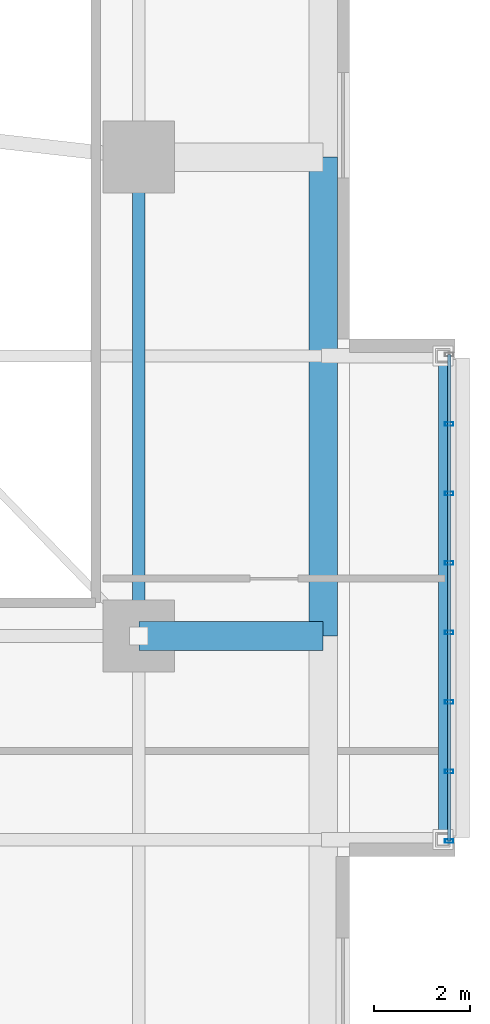
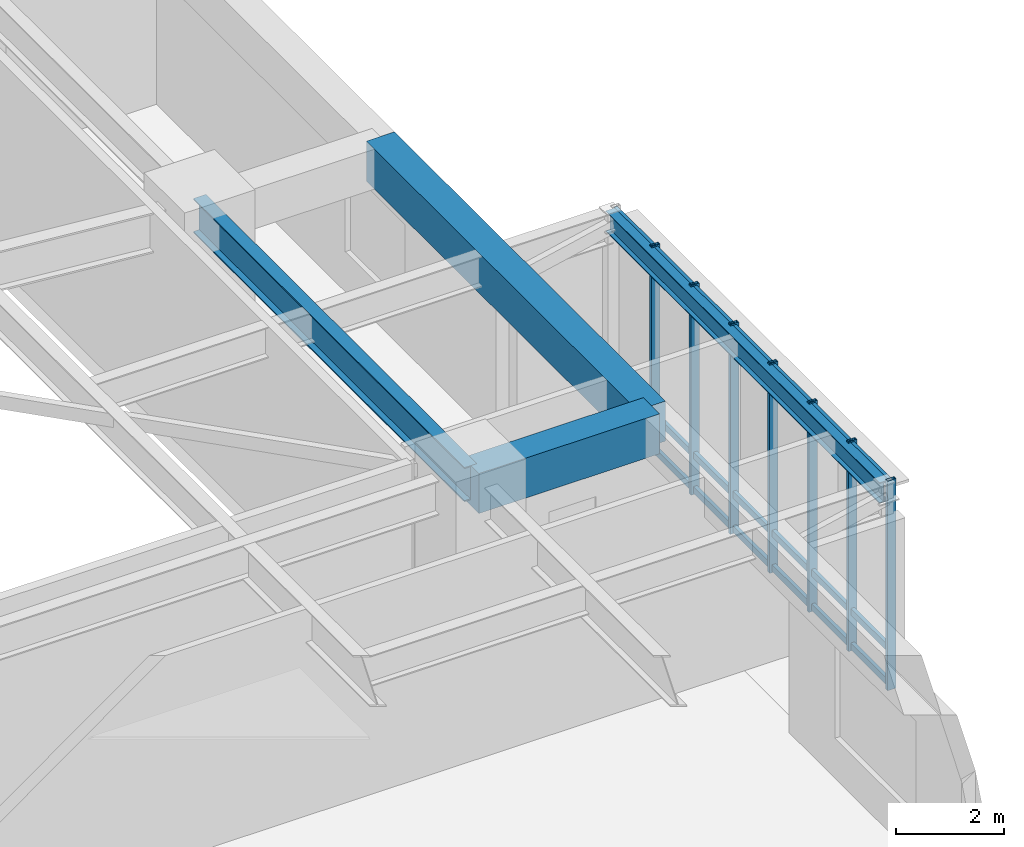
# One storey, part 10 of 24: 10 members, 4 beams, 1 element without a shape of its own.
"""IFC4 building model written with IfcOpenShell, lengths in metres."""

from ifc_helpers import new_model, si_unit, direction, frame, origin, origin_2d, place, context, subcontext, project, spatial, rectangle, hollow_rectangle, i_section, extrude, material, material_profile, profile_set, type_object, element, aggregate, save


model = new_model("IFC4")

# Units and contexts
model_context = context("Model", 3, precision=1e-05, world=origin(), true_north=direction((0.0, 1.0)))
body_context = subcontext(model_context, "Body", "Model", "MODEL_VIEW")
ifc_project = project(units=[si_unit("LENGTHUNIT", "METRE"), si_unit("AREAUNIT", "SQUARE_METRE"), si_unit("VOLUMEUNIT", "CUBIC_METRE"), si_unit("PLANEANGLEUNIT", "RADIAN"), si_unit("MASSUNIT", "GRAM", prefix="KILO")], contexts=[model_context])

# Site, building, storey
site_placement = place(None, origin())
site = spatial("IfcSite", under=ifc_project, at=site_placement, CompositionType="ELEMENT")
building_placement = place(site_placement, origin())
building = spatial("IfcBuilding", under=site, at=building_placement, Name="Zulverin Broadcast Headquarters", CompositionType="ELEMENT")
storey_placement = place(building_placement, frame((0.0, 0.0, 5.0)))
storey = spatial("IfcBuildingStorey", under=building, at=storey_placement, Name="L01", CompositionType="ELEMENT", Elevation=5.0)

# Beams
ifc_material_1 = material(Name="Concrete C40/50", Category="concrete")
ifc_material_profile_1 = material_profile(ifc_material_1, rectangle(XDim=0.60009765625, YDim=0.89990234375, at=origin_2d()), Name="Concrete C40/50", Category="concrete")
ifc_profile_set_1 = profile_set([ifc_material_profile_1], Name="Concrete C40/50")
beam_type_1 = type_object("IfcBeamType", Name="BM-RC-600x900", PredefinedType="BEAM", material=ifc_profile_set_1)
beam_1_placement = place(storey_placement, frame((69.60009765625, 15.199951171875, 4.2099609375), z_axis=(1.0, 0.0, 0.0), x_axis=(0.0, 1.0, 0.0)))
element("IfcBeam", 1, at=beam_1_placement, inside=storey, type_object=beam_type_1, Name="L01 East Perimeter Bracket Girder EBR-2", PredefinedType="BEAM", context=body_context, shape_type="SweptSolid", body=[
    extrude(rectangle(XDim=0.60009765625, YDim=0.89990234375, at=origin_2d()), origin(), (0.0, 0.0, 1.0), 3.849853515625),
])
beam_2_placement = place(storey_placement, frame((73.449951171875, 15.199951171875, 4.2099609375), z_axis=(0.0, 1.0, 0.0), x_axis=(-1.0, 0.0, 0.0)))
element("IfcBeam", 2, at=beam_2_placement, inside=storey, type_object=beam_type_1, Name="L01 East Edge Spandrel Girder EEG-2", PredefinedType="BEAM", context=body_context, shape_type="SweptSolid", body=[
    extrude(rectangle(XDim=0.60009765625, YDim=0.89990234375, at=origin_2d()), origin(), (0.0, 0.0, 1.0), 10.0),
])
ifc_material_2 = material(Name="Structural steel S355JR", Category="steel")
ifc_material_profile_2 = material_profile(ifc_material_2, i_section(OverallWidth=0.19287109375, OverallDepth=0.46728515625, WebThickness=0.011474609375, FlangeThickness=0.01953125, at=origin_2d()), Name="Structural steel S355JR", Category="steel")
ifc_profile_set_2 = profile_set([ifc_material_profile_2], Name="Structural steel S355JR")
beam_type_2 = type_object("IfcBeamType", Name="BM-UB-457", PredefinedType="JOIST", material=ifc_profile_set_2)
beam_3_placement = place(storey_placement, frame((75.949951171875, 10.949951171875, 4.426513671875), z_axis=(0.0, 1.0, 0.0), x_axis=(-1.0, 0.0, 0.0)))
element("IfcBeam", 3, at=beam_3_placement, inside=storey, type_object=beam_type_2, Name="L01 Studio Box Edge Beam SBOX_POD_LOWER_E1", PredefinedType="JOIST", context=body_context, shape_type="SweptSolid", body=[
    extrude(i_section(OverallWidth=0.19287109375, OverallDepth=0.46728515625, WebThickness=0.011474609375, FlangeThickness=0.01953125, at=origin_2d()), origin(), (0.0, 0.0, 1.0), 10.10009765625),
])
ifc_material_profile_3 = material_profile(ifc_material_2, i_section(OverallWidth=0.26806640625, OverallDepth=0.769775390625, WebThickness=0.015625, FlangeThickness=0.025390625, at=origin_2d()), Name="Structural steel S355JR", Category="steel")
ifc_profile_set_3 = profile_set([ifc_material_profile_3], Name="Structural steel S355JR")
beam_type_3 = type_object("IfcBeamType", Name="BM-UB-762", PredefinedType="BEAM", material=ifc_profile_set_3)
beam_4_placement = place(storey_placement, frame((69.60009765625, 15.199951171875, 4.275146484375), z_axis=(0.0, 1.0, 0.0), x_axis=(-1.0, 0.0, 0.0)))
element("IfcBeam", 4, at=beam_4_placement, inside=storey, type_object=beam_type_3, Name="L01 Podium Primary Girder P14-P15", PredefinedType="BEAM", context=body_context, shape_type="SweptSolid", body=[
    extrude(i_section(OverallWidth=0.26806640625, OverallDepth=0.769775390625, WebThickness=0.015625, FlangeThickness=0.025390625, at=origin_2d()), origin(), (0.0, 0.0, 1.0), 10.0),
])

# Curtain wall, members
ifc_material_3 = material(Name="Acoustic triple-glazed studio box curtain wall", Category="aluminium")
curtain_wall_type = type_object("IfcCurtainWallType", Name="CW-SBOX", PredefinedType="USERDEFINED", material=ifc_material_3)
curtain_wall_placement = place(storey_placement, origin())
curtain_wall = element("IfcCurtainWall", 5, at=curtain_wall_placement, inside=storey, type_object=curtain_wall_type, Name="L01 Unitised Curtain Wall CW-L01-SBOX_POD_LOWER_E1-F", ObjectType="UNITISED CURTAIN WALL", PredefinedType="USERDEFINED")
ifc_material_4 = material(Name="Anodized pale-metal aluminium alloy 6063-T6", Category="aluminium")
ifc_material_profile_4 = material_profile(ifc_material_4, hollow_rectangle(XDim=0.074951171875, YDim=0.179931640625, WallThickness=0.0048828125, at=origin_2d()), Name="Anodized pale-metal aluminium alloy 6063-T6", Category="aluminium")
ifc_profile_set_4 = profile_set([ifc_material_profile_4], Name="Anodized pale-metal aluminium alloy 6063-T6")
member_type_1 = type_object("IfcMemberType", Name="CW-MUL-180", PredefinedType="MULLION", material=ifc_profile_set_4)
member_1_placement = place(storey_placement, frame((76.080078125, 10.919921875, -0.030029296875), z_axis=(0.0, 0.0, 1.0), x_axis=(0.0, 1.0, 0.0)))
member_1 = element("IfcMember", 6, at=member_1_placement, type_object=member_type_1, Name="CW-L01-SBOX_POD_LOWER_E1-F Mullion 00", PredefinedType="MULLION", context=body_context, shape_type="SweptSolid", body=[
    extrude(hollow_rectangle(XDim=0.074951171875, YDim=0.179931640625, WallThickness=0.0048828125, at=origin_2d()), origin(), (0.0, 0.0, 1.0), 4.719970703125),
])
member_2_placement = place(storey_placement, frame((76.080078125, 12.371337890625, -0.030029296875), z_axis=(0.0, 0.0, 1.0), x_axis=(0.0, 1.0, 0.0)))
member_2 = element("IfcMember", 7, at=member_2_placement, type_object=member_type_1, Name="CW-L01-SBOX_POD_LOWER_E1-F Mullion 01", PredefinedType="MULLION", context=body_context, shape_type="SweptSolid", body=[
    extrude(hollow_rectangle(XDim=0.074951171875, YDim=0.179931640625, WallThickness=0.0048828125, at=origin_2d()), origin(), (0.0, 0.0, 1.0), 4.719970703125),
])
member_3_placement = place(storey_placement, frame((76.080078125, 13.822998046875, -0.030029296875), z_axis=(0.0, 0.0, 1.0), x_axis=(0.0, 1.0, 0.0)))
member_3 = element("IfcMember", 8, at=member_3_placement, type_object=member_type_1, Name="CW-L01-SBOX_POD_LOWER_E1-F Mullion 02", PredefinedType="MULLION", context=body_context, shape_type="SweptSolid", body=[
    extrude(hollow_rectangle(XDim=0.074951171875, YDim=0.179931640625, WallThickness=0.0048828125, at=origin_2d()), origin(), (0.0, 0.0, 1.0), 4.719970703125),
])
member_4_placement = place(storey_placement, frame((76.080078125, 15.2744140625, -0.030029296875), z_axis=(0.0, 0.0, 1.0), x_axis=(0.0, 1.0, 0.0)))
member_4 = element("IfcMember", 9, at=member_4_placement, type_object=member_type_1, Name="CW-L01-SBOX_POD_LOWER_E1-F Mullion 03", PredefinedType="MULLION", context=body_context, shape_type="SweptSolid", body=[
    extrude(hollow_rectangle(XDim=0.074951171875, YDim=0.179931640625, WallThickness=0.0048828125, at=origin_2d()), origin(), (0.0, 0.0, 1.0), 4.719970703125),
])
member_5_placement = place(storey_placement, frame((76.080078125, 16.7255859375, -0.030029296875), z_axis=(0.0, 0.0, 1.0), x_axis=(0.0, 1.0, 0.0)))
member_5 = element("IfcMember", 10, at=member_5_placement, type_object=member_type_1, Name="CW-L01-SBOX_POD_LOWER_E1-F Mullion 04", PredefinedType="MULLION", context=body_context, shape_type="SweptSolid", body=[
    extrude(hollow_rectangle(XDim=0.074951171875, YDim=0.179931640625, WallThickness=0.0048828125, at=origin_2d()), origin(), (0.0, 0.0, 1.0), 4.719970703125),
])
member_6_placement = place(storey_placement, frame((76.080078125, 18.177001953125, -0.030029296875), z_axis=(0.0, 0.0, 1.0), x_axis=(0.0, 1.0, 0.0)))
member_6 = element("IfcMember", 11, at=member_6_placement, type_object=member_type_1, Name="CW-L01-SBOX_POD_LOWER_E1-F Mullion 05", PredefinedType="MULLION", context=body_context, shape_type="SweptSolid", body=[
    extrude(hollow_rectangle(XDim=0.074951171875, YDim=0.179931640625, WallThickness=0.0048828125, at=origin_2d()), origin(), (0.0, 0.0, 1.0), 4.719970703125),
])
member_7_placement = place(storey_placement, frame((76.080078125, 19.628662109375, -0.030029296875), z_axis=(0.0, 0.0, 1.0), x_axis=(0.0, 1.0, 0.0)))
member_7 = element("IfcMember", 12, at=member_7_placement, type_object=member_type_1, Name="CW-L01-SBOX_POD_LOWER_E1-F Mullion 06", PredefinedType="MULLION", context=body_context, shape_type="SweptSolid", body=[
    extrude(hollow_rectangle(XDim=0.074951171875, YDim=0.179931640625, WallThickness=0.0048828125, at=origin_2d()), origin(), (0.0, 0.0, 1.0), 4.719970703125),
])
ifc_material_profile_5 = material_profile(ifc_material_4, hollow_rectangle(XDim=0.074951171875, YDim=0.14990234375, WallThickness=0.0048828125, at=origin_2d()), Name="Anodized pale-metal aluminium alloy 6063-T6", Category="aluminium")
ifc_profile_set_5 = profile_set([ifc_material_profile_5], Name="Anodized pale-metal aluminium alloy 6063-T6")
member_type_2 = type_object("IfcMemberType", Name="CW-TRN-150", PredefinedType="USERDEFINED", material=ifc_profile_set_5)
member_8_placement = place(storey_placement, frame((76.080078125, 10.919921875, 0.074951171875), z_axis=(0.0, 1.0, 0.0), x_axis=(-1.0, 0.0, 0.0)))
member_8 = element("IfcMember", 13, at=member_8_placement, type_object=member_type_2, Name="CW-L01-SBOX_POD_LOWER_E1-F Transom 0", ObjectType="TRANSOM", PredefinedType="USERDEFINED", context=body_context, shape_type="SweptSolid", body=[
    extrude(hollow_rectangle(XDim=0.074951171875, YDim=0.14990234375, WallThickness=0.0048828125, at=origin_2d()), origin(), (0.0, 0.0, 1.0), 10.16015625),
])
member_9_placement = place(storey_placement, frame((76.080078125, 10.919921875, 0.85009765625), z_axis=(0.0, 1.0, 0.0), x_axis=(-1.0, 0.0, 0.0)))
member_9 = element("IfcMember", 14, at=member_9_placement, type_object=member_type_2, Name="CW-L01-SBOX_POD_LOWER_E1-F Transom 1", ObjectType="TRANSOM", PredefinedType="USERDEFINED", context=body_context, shape_type="SweptSolid", body=[
    extrude(hollow_rectangle(XDim=0.074951171875, YDim=0.14990234375, WallThickness=0.0048828125, at=origin_2d()), origin(), (0.0, 0.0, 1.0), 10.16015625),
])
member_10_placement = place(storey_placement, frame((76.080078125, 10.919921875, 4.5849609375), z_axis=(0.0, 1.0, 0.0), x_axis=(-1.0, 0.0, 0.0)))
member_10 = element("IfcMember", 15, at=member_10_placement, type_object=member_type_2, Name="CW-L01-SBOX_POD_LOWER_E1-F Transom 2", ObjectType="TRANSOM", PredefinedType="USERDEFINED", context=body_context, shape_type="SweptSolid", body=[
    extrude(hollow_rectangle(XDim=0.074951171875, YDim=0.14990234375, WallThickness=0.0048828125, at=origin_2d()), origin(), (0.0, 0.0, 1.0), 10.16015625),
])
aggregate(curtain_wall, [member_1, member_2, member_3, member_4, member_5, member_6, member_7, member_8, member_9, member_10])

save(model, "model.ifc")
